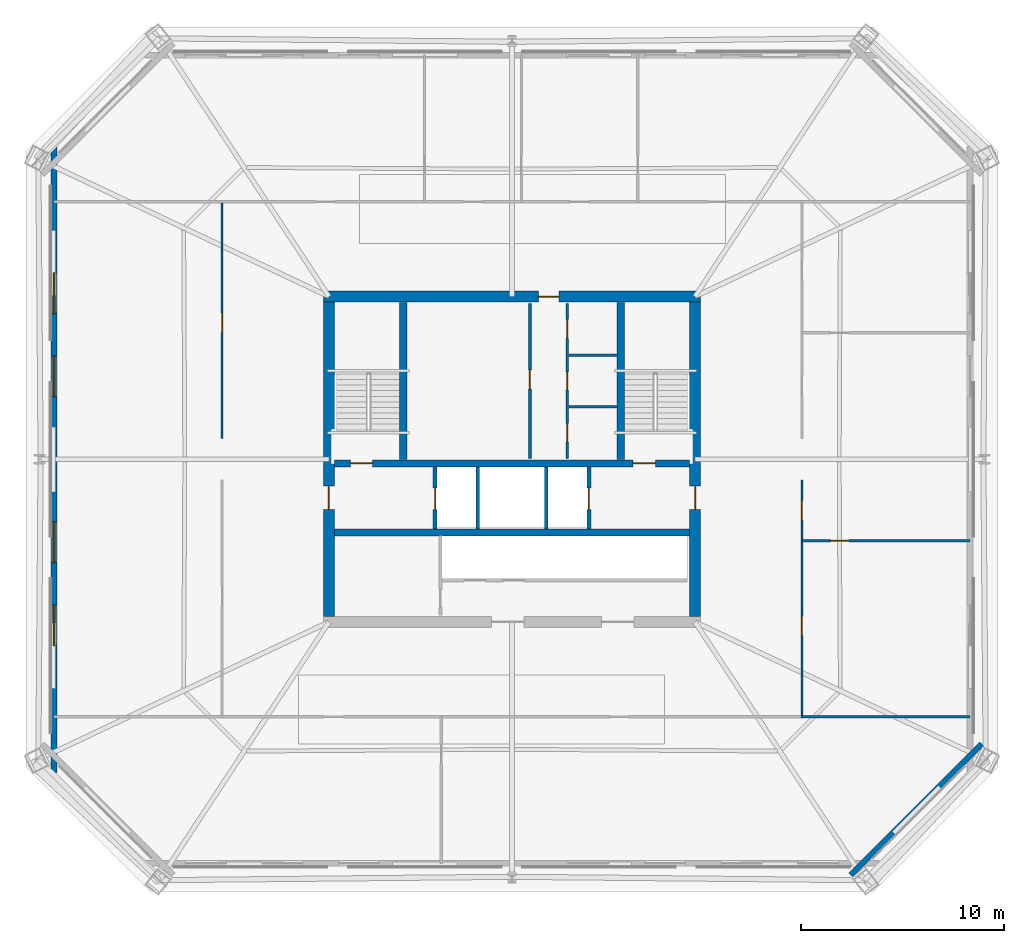
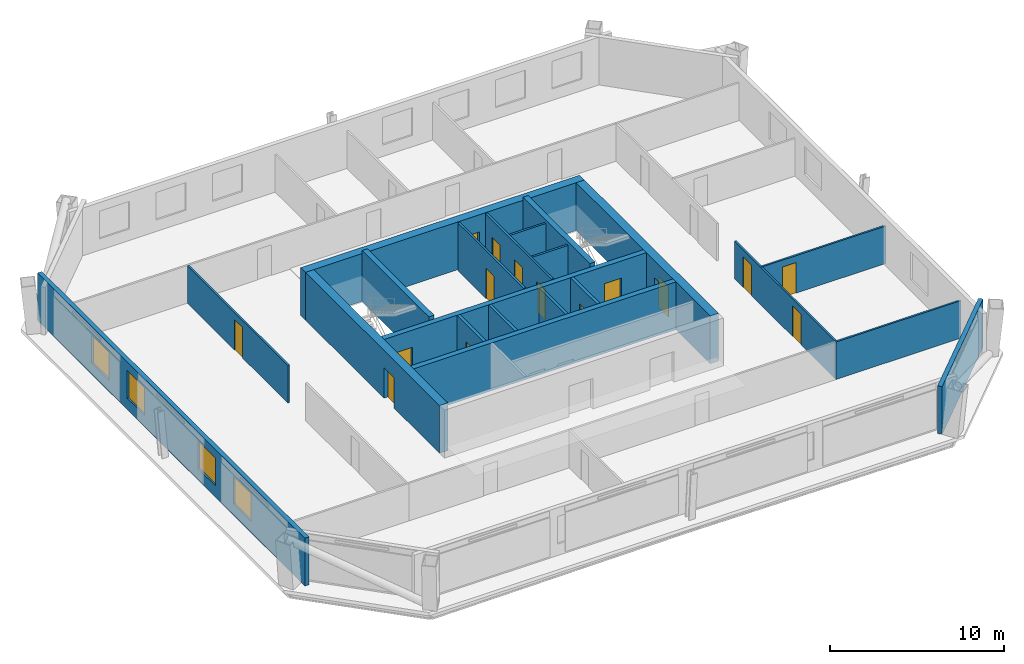
# One storey, part 3 of 7: 21 walls, 15 doors, 4 windows, 19 openings.
"""IFC4 building model written with IfcOpenShell, lengths in metres."""

from ifc_helpers import new_model, si_unit, direction, frame, frame_2d, origin, place, context, subcontext, project, spatial, rectangle, extrude, material, layer, layer_set, type_object, element, fill, save


model = new_model("IFC4")

# Units and contexts
model_context = context("Model", 3, precision=1e-05, world=origin(), true_north=direction((0.0, 1.0)))
body_context = subcontext(model_context, "Body", "Model", "MODEL_VIEW")
ifc_project = project(units=[si_unit("LENGTHUNIT", "METRE"), si_unit("AREAUNIT", "SQUARE_METRE"), si_unit("VOLUMEUNIT", "CUBIC_METRE"), si_unit("PLANEANGLEUNIT", "RADIAN"), si_unit("MASSUNIT", "GRAM", prefix="KILO")], contexts=[model_context])

# Site, building, storey
site_placement = place(None, origin())
site = spatial("IfcSite", under=ifc_project, at=site_placement, CompositionType="ELEMENT")
building_placement = place(site_placement, origin())
building = spatial("IfcBuilding", under=site, at=building_placement, Name="Caelvoria Tower", CompositionType="ELEMENT")
storey_placement = place(building_placement, frame((0.0, 0.0, 134.800048828125)))
storey = spatial("IfcBuildingStorey", under=building, at=storey_placement, Name="L35", CompositionType="ELEMENT", Elevation=134.800048828125)

# Wall, openings, doors
ifc_material_1 = material(Name="Concrete C50/60", Category="concrete")
ifc_layer_1 = layer(ifc_material_1, 0.35009765625, Name="Concrete C50/60")
ifc_layer_set_1 = layer_set([ifc_layer_1], Name="Core Internal Shear Wall 350 - Concrete C50/60")
wall_type_1 = type_object("IfcWallType", Name="Core Internal Shear Wall 350", PredefinedType="SHEAR", material=ifc_layer_set_1)
wall_1_placement = place(storey_placement, frame((37.27490234375, 31.800048828125, 0.0), z_axis=(0.0, 0.0, 1.0), x_axis=(1.0, 0.0, 0.0)))
wall_1 = element("IfcWall", 1, at=wall_1_placement, inside=storey, type_object=wall_type_1, Name="Core Shear Wall L35 M1", PredefinedType="SHEAR", context=body_context, shape_type="SweptSolid", body=[
    extrude(rectangle(XDim=17.4501953125, YDim=0.35009765625, at=frame_2d((8.72509765625, 0.0))), origin(), (0.0, 0.0, 1.0), 3.35986328125),
])
opening_1_placement = place(wall_1_placement, frame((0.77490234375, 0.0, 0.0)))
opening_1 = element("IfcOpeningElement", 2, at=opening_1_placement, cuts=wall_1, Name="Opening ID-01", PredefinedType="OPENING", context=body_context, shape_type="SweptSolid", body=[
    extrude(rectangle(XDim=1.10009765625, YDim=2.14990234375, at=frame_2d((0.550048828125, 1.074951171875))), frame((0.0, 0.18505859375, 0.0), z_axis=(0.0, -1.0, 0.0), x_axis=(1.0, 0.0, 0.0)), (0.0, 0.0, 1.0), 0.3701171875),
])
opening_2_placement = place(wall_1_placement, frame((14.675048828125, 0.0, 0.0)))
opening_2 = element("IfcOpeningElement", 3, at=opening_2_placement, cuts=wall_1, Name="Opening ID-01", PredefinedType="OPENING", context=body_context, shape_type="SweptSolid", body=[
    extrude(rectangle(XDim=1.10009765625, YDim=2.14990234375, at=frame_2d((0.550048828125, 1.074951171875))), frame((0.0, 0.18505859375, 0.0), z_axis=(0.0, -1.0, 0.0), x_axis=(1.0, 0.0, 0.0)), (0.0, 0.0, 1.0), 0.3701171875),
])
ifc_material_2 = material(Name="Painted Hollow Steel Fire Door", Category="steel")
door_type_1 = type_object("IfcDoorType", Name="Fire Door FD90S 1100x2150", OperationType="NOTDEFINED", PredefinedType="DOOR", material=ifc_material_2)
door_1_placement = place(opening_1_placement, origin())
door_1 = element("IfcDoor", 4, at=door_1_placement, inside=storey, type_object=door_type_1, Name="Core Door DR-L35-ST1", OperationType="SINGLE_SWING_LEFT", OverallHeight=2.14990234375, OverallWidth=1.10009765625, PredefinedType="DOOR", context=body_context, shape_type="SweptSolid", body=[
    extrude(rectangle(XDim=1.10009765625, YDim=2.14990234375, at=frame_2d((0.550048828125, 1.074951171875))), frame((0.0, 0.02490234375, 0.0), z_axis=(0.0, -1.0, 0.0), x_axis=(1.0, 0.0, 0.0)), (0.0, 0.0, 1.0), 0.050048828125),
])
fill(opening_1, door_1)
door_2_placement = place(opening_2_placement, origin())
door_2 = element("IfcDoor", 5, at=door_2_placement, inside=storey, type_object=door_type_1, Name="Core Door DR-L35-ST2", OperationType="SINGLE_SWING_RIGHT", OverallHeight=2.14990234375, OverallWidth=1.10009765625, PredefinedType="DOOR", context=body_context, shape_type="SweptSolid", body=[
    extrude(rectangle(XDim=1.10009765625, YDim=2.14990234375, at=frame_2d((0.550048828125, 1.074951171875))), frame((0.0, 0.02490234375, 0.0), z_axis=(0.0, -1.0, 0.0), x_axis=(1.0, 0.0, 0.0)), (0.0, 0.0, 1.0), 0.050048828125),
])
fill(opening_2, door_2)

# Walls
wall_2_placement = place(storey_placement, frame((37.27490234375, 28.39990234375, 0.0), z_axis=(0.0, 0.0, 1.0), x_axis=(1.0, 0.0, 0.0)))
element("IfcWall", 6, at=wall_2_placement, inside=storey, type_object=wall_type_1, Name="Core Shear Wall L35 M2", PredefinedType="SHEAR", context=body_context, shape_type="SweptSolid", body=[
    extrude(rectangle(XDim=17.4501953125, YDim=0.35009765625, at=frame_2d((8.72509765625, 0.0))), origin(), (0.0, 0.0, 1.0), 3.35986328125),
])
for number, where, z_axis, x_axis, name in (
    (7, (40.64990234375, 32.0, 0.0), (0.0, 0.0, 1.0), (0.0, 1.0, 0.0), "Interior Partition IW-L35-ST1E"),
    (8, (51.35009765625, 32.0, 0.0), (0.0, 0.0, 1.0), (0.0, 1.0, 0.0), "Interior Partition IW-L35-ST2W"),
):
    element("IfcWall", number, at=place(storey_placement, frame(where, z_axis=z_axis, x_axis=x_axis)), inside=storey, type_object=wall_type_1, Name=name, PredefinedType="SHEAR", context=body_context, shape_type="SweptSolid", body=[
        extrude(rectangle(XDim=7.699951171875, YDim=0.35009765625, at=frame_2d((3.85009765625, 0.0))), origin(), (0.0, 0.0, 1.0), 3.599853515625),
    ])

# Wall, opening, door
ifc_material_3 = material(Name="Moisture-Resistant Gypsum on Steel Stud", Category="steel")
ifc_layer_2 = layer(ifc_material_3, 0.139892578125, Name="Moisture-Resistant Gypsum on Steel Stud")
ifc_layer_set_2 = layer_set([ifc_layer_2], Name="Core Sanitary Acoustic Partition Wall 140 - Moisture-Resistant Gypsum on Steel Stud")
wall_type_2 = type_object("IfcWallType", Name="Core Sanitary Acoustic Partition Wall 140", PredefinedType="PARTITIONING", material=ifc_layer_set_2)
wall_3_placement = place(storey_placement, frame((46.8798828125, 32.050048828125, 0.0), z_axis=(0.0, 0.0, 1.0), x_axis=(0.0, 1.0, 0.0)))
wall_3 = element("IfcWall", 9, at=wall_3_placement, inside=storey, type_object=wall_type_2, Name="Interior Partition IW-L35-C2L", PredefinedType="PARTITIONING", context=body_context, shape_type="SweptSolid", body=[
    extrude(rectangle(XDim=7.599853515625, YDim=0.139892578125, at=frame_2d((3.7998046875, 0.0))), origin(), (0.0, 0.0, 1.0), 3.35986328125),
])
opening_3_placement = place(wall_3_placement, frame((3.39990234375, 0.0, 0.0)))
opening_3 = element("IfcOpeningElement", 10, at=opening_3_placement, cuts=wall_3, Name="Opening ID-05", PredefinedType="OPENING", context=body_context, shape_type="SweptSolid", body=[
    extrude(rectangle(XDim=0.949951171875, YDim=2.14990234375, at=frame_2d((0.47509765625, 1.074951171875))), frame((0.0, 0.079833984375, 0.0), z_axis=(0.0, -1.0, 0.0), x_axis=(1.0, 0.0, 0.0)), (0.0, 0.0, 1.0), 0.159912109375),
])
ifc_material_4 = material(Name="Engineered Andean Oak Veneer Door", Category="wood")
door_type_2 = type_object("IfcDoorType", Name="Interior Timber Door 950x2150", OperationType="NOTDEFINED", PredefinedType="DOOR", material=ifc_material_4)
door_3_placement = place(opening_3_placement, origin())
door_3 = element("IfcDoor", 11, at=door_3_placement, inside=storey, type_object=door_type_2, Name="Interior Door DR-L35-C2W", OperationType="SINGLE_SWING_LEFT", OverallHeight=2.14990234375, OverallWidth=0.949951171875, PredefinedType="DOOR", context=body_context, shape_type="SweptSolid", body=[
    extrude(rectangle(XDim=0.949951171875, YDim=2.14990234375, at=frame_2d((0.47509765625, 1.074951171875))), frame((0.0, 0.02490234375, 0.0), z_axis=(0.0, -1.0, 0.0), x_axis=(1.0, 0.0, 0.0)), (0.0, 0.0, 1.0), 0.050048828125),
])
fill(opening_3, door_3)

# Wall, openings, doors
wall_4_placement = place(storey_placement, frame((48.719970703125, 32.050048828125, 0.0), z_axis=(0.0, 0.0, 1.0), x_axis=(0.0, 1.0, 0.0)))
wall_4 = element("IfcWall", 12, at=wall_4_placement, inside=storey, type_object=wall_type_2, Name="Interior Partition IW-L35-C2R", PredefinedType="PARTITIONING", context=body_context, shape_type="SweptSolid", body=[
    extrude(rectangle(XDim=7.599853515625, YDim=0.139892578125, at=frame_2d((3.7998046875, 0.0))), origin(), (0.0, 0.0, 1.0), 3.35986328125),
])
opening_4_placement = place(wall_4_placement, frame((0.800048828125, 0.0, 0.0)))
opening_4 = element("IfcOpeningElement", 13, at=opening_4_placement, cuts=wall_4, Name="Opening ID-04", PredefinedType="OPENING", context=body_context, shape_type="SweptSolid", body=[
    extrude(rectangle(XDim=0.89990234375, YDim=2.14990234375, at=frame_2d((0.449951171875, 1.074951171875))), frame((0.0, 0.079833984375, 0.0), z_axis=(0.0, -1.0, 0.0), x_axis=(1.0, 0.0, 0.0)), (0.0, 0.0, 1.0), 0.159912109375),
])
opening_5_placement = place(wall_4_placement, frame((3.35009765625, 0.0, 0.0)))
opening_5 = element("IfcOpeningElement", 14, at=opening_5_placement, cuts=wall_4, Name="Opening ID-06", PredefinedType="OPENING", context=body_context, shape_type="SweptSolid", body=[
    extrude(rectangle(XDim=0.89990234375, YDim=2.14990234375, at=frame_2d((0.449951171875, 1.074951171875))), frame((0.0, 0.079833984375, 0.0), z_axis=(0.0, -1.0, 0.0), x_axis=(1.0, 0.0, 0.0)), (0.0, 0.0, 1.0), 0.159912109375),
])
opening_6_placement = place(wall_4_placement, frame((5.89990234375, 0.0, 0.0)))
opening_6 = element("IfcOpeningElement", 15, at=opening_6_placement, cuts=wall_4, Name="Opening ID-07", PredefinedType="OPENING", context=body_context, shape_type="SweptSolid", body=[
    extrude(rectangle(XDim=0.919921875, YDim=2.14990234375, at=frame_2d((0.4599609375, 1.074951171875))), frame((0.0, 0.079833984375, 0.0), z_axis=(0.0, -1.0, 0.0), x_axis=(1.0, 0.0, 0.0)), (0.0, 0.0, 1.0), 0.159912109375),
])
ifc_material_5 = material(Name="Engineered Andean Oak Accessible Door", Category="wood")
door_type_3 = type_object("IfcDoorType", Name="Accessible WC Door 950x2150", OperationType="NOTDEFINED", PredefinedType="DOOR", material=ifc_material_5)
door_4_placement = place(opening_6_placement, origin())
door_4 = element("IfcDoor", 16, at=door_4_placement, inside=storey, type_object=door_type_3, Name="Interior Door DR-L35-C2E3", OperationType="SINGLE_SWING_RIGHT", OverallHeight=2.14990234375, OverallWidth=0.919921875, PredefinedType="DOOR", context=body_context, shape_type="SweptSolid", body=[
    extrude(rectangle(XDim=0.919921875, YDim=2.14990234375, at=frame_2d((0.4599609375, 1.074951171875))), frame((0.0, 0.02490234375, 0.0), z_axis=(0.0, -1.0, 0.0), x_axis=(1.0, 0.0, 0.0)), (0.0, 0.0, 1.0), 0.050048828125),
])
fill(opening_6, door_4)
ifc_material_6 = material(Name="Acoustic Timber Fire Door", Category="wood")
door_type_4 = type_object("IfcDoorType", Name="Fire Door FD30S 900x2150", OperationType="NOTDEFINED", PredefinedType="DOOR", material=ifc_material_6)
door_5_placement = place(opening_4_placement, origin())
door_5 = element("IfcDoor", 17, at=door_5_placement, inside=storey, type_object=door_type_4, Name="Interior Door DR-L35-C2E1", OperationType="SINGLE_SWING_RIGHT", OverallHeight=2.14990234375, OverallWidth=0.89990234375, PredefinedType="DOOR", context=body_context, shape_type="SweptSolid", body=[
    extrude(rectangle(XDim=0.89990234375, YDim=2.14990234375, at=frame_2d((0.449951171875, 1.074951171875))), frame((0.0, 0.02490234375, 0.0), z_axis=(0.0, -1.0, 0.0), x_axis=(1.0, 0.0, 0.0)), (0.0, 0.0, 1.0), 0.050048828125),
])
fill(opening_4, door_5)
door_type_5 = type_object("IfcDoorType", Name="Interior Timber Door 900x2150", OperationType="NOTDEFINED", PredefinedType="DOOR", material=ifc_material_4)
door_6_placement = place(opening_5_placement, origin())
door_6 = element("IfcDoor", 18, at=door_6_placement, inside=storey, type_object=door_type_5, Name="Interior Door DR-L35-C2E2", OperationType="SINGLE_SWING_LEFT", OverallHeight=2.14990234375, OverallWidth=0.89990234375, PredefinedType="DOOR", context=body_context, shape_type="SweptSolid", body=[
    extrude(rectangle(XDim=0.89990234375, YDim=2.14990234375, at=frame_2d((0.449951171875, 1.074951171875))), frame((0.0, 0.02490234375, 0.0), z_axis=(0.0, -1.0, 0.0), x_axis=(1.0, 0.0, 0.0)), (0.0, 0.0, 1.0), 0.050048828125),
])
fill(opening_5, door_6)

# Walls
for number, where, z_axis, x_axis, name in (
    (19, (48.800048828125, 34.580078125, 0.0), (0.0, 0.0, 1.0), (1.0, 0.0, 0.0), "Interior Partition IW-L35-C2H1"),
    (20, (48.800048828125, 37.1201171875, 0.0), (0.0, 0.0, 1.0), (1.0, 0.0, 0.0), "Interior Partition IW-L35-C2H2"),
):
    element("IfcWall", number, at=place(storey_placement, frame(where, z_axis=z_axis, x_axis=x_axis)), inside=storey, type_object=wall_type_2, Name=name, PredefinedType="PARTITIONING", context=body_context, shape_type="SweptSolid", body=[
        extrude(rectangle(XDim=2.39990234375, YDim=0.139892578125, at=frame_2d((1.199951171875, 0.0))), origin(), (0.0, 0.0, 1.0), 3.35986328125),
    ])
ifc_material_7 = material(Name="Precast Concrete C40/50 with Bronze Cladding", Category="concrete")
ifc_layer_3 = layer(ifc_material_7, 0.280029296875, Name="Precast Concrete C40/50 with Bronze Cladding")
ifc_layer_set_3 = layer_set([ifc_layer_3], Name="Exterior Precast Concrete C40/50 Bronze-Clad Facade Wall 280 - Precast Concrete C40/50 with Bronze Cladding")
wall_type_3 = type_object("IfcWallType", Name="Exterior Precast Concrete C40/50 Bronze-Clad Facade Wall 280", PredefinedType="STANDARD", material=ifc_layer_set_3)
wall_5_placement = place(storey_placement, frame((62.654541015625, 11.55615234375, 0.0), z_axis=(0.0, 0.0, 1.0), x_axis=(0.707106781187, 0.707106781187, 0.0)))
element("IfcWall", 21, at=wall_5_placement, inside=storey, type_object=wall_type_3, Name="Exterior Facade Wall L35-E1", PredefinedType="STANDARD", context=body_context, shape_type="SweptSolid", body=[
    extrude(rectangle(XDim=9.106689453125, YDim=0.280029296875, at=frame_2d((4.55322265625, 0.0))), origin(), (0.0, 0.0, 1.0), 3.35986328125),
])

# Wall, openings, windows
wall_6_placement = place(storey_placement, frame((23.47998046875, 47.389892578125, 0.0), z_axis=(0.0, 0.0, 1.0), x_axis=(0.0, -1.0, 0.0)))
wall_6 = element("IfcWall", 22, at=wall_6_placement, inside=storey, type_object=wall_type_3, Name="Exterior Facade Wall L35-E6", PredefinedType="STANDARD", context=body_context, shape_type="SweptSolid", body=[
    extrude(rectangle(XDim=30.77978515625, YDim=0.280029296875, at=frame_2d((15.389892578125, 0.0))), origin(), (0.0, 0.0, 1.0), 3.35986328125),
])
opening_7_placement = place(wall_6_placement, frame((6.224365234375, 0.0, 0.800048828125)))
opening_7 = element("IfcOpeningElement", 23, at=opening_7_placement, cuts=wall_6, Name="Opening WN-01", PredefinedType="OPENING", context=body_context, shape_type="SweptSolid", body=[
    extrude(rectangle(XDim=2.0, YDim=1.949951171875, at=frame_2d((1.0, 0.97509765625))), frame((0.0, 0.14990234375, 0.0), z_axis=(0.0, -1.0, 0.0), x_axis=(1.0, 0.0, 0.0)), (0.0, 0.0, 1.0), 0.300048828125),
])
opening_8_placement = place(wall_6_placement, frame((10.30712890625, 0.0, 0.800048828125)))
opening_8 = element("IfcOpeningElement", 24, at=opening_8_placement, cuts=wall_6, Name="Opening WN-01", PredefinedType="OPENING", context=body_context, shape_type="SweptSolid", body=[
    extrude(rectangle(XDim=2.0, YDim=1.949951171875, at=frame_2d((1.0, 0.97509765625))), frame((0.0, 0.14990234375, 0.0), z_axis=(0.0, -1.0, 0.0), x_axis=(1.0, 0.0, 0.0)), (0.0, 0.0, 1.0), 0.300048828125),
])
opening_9_placement = place(wall_6_placement, frame((18.472900390625, 0.0, 0.800048828125)))
opening_9 = element("IfcOpeningElement", 25, at=opening_9_placement, cuts=wall_6, Name="Opening WN-01", PredefinedType="OPENING", context=body_context, shape_type="SweptSolid", body=[
    extrude(rectangle(XDim=2.0, YDim=1.949951171875, at=frame_2d((1.0, 0.97509765625))), frame((0.0, 0.14990234375, 0.0), z_axis=(0.0, -1.0, 0.0), x_axis=(1.0, 0.0, 0.0)), (0.0, 0.0, 1.0), 0.300048828125),
])
opening_10_placement = place(wall_6_placement, frame((22.5556640625, 0.0, 0.800048828125)))
opening_10 = element("IfcOpeningElement", 26, at=opening_10_placement, cuts=wall_6, Name="Opening WN-01", PredefinedType="OPENING", context=body_context, shape_type="SweptSolid", body=[
    extrude(rectangle(XDim=2.0, YDim=1.949951171875, at=frame_2d((1.0, 0.97509765625))), frame((0.0, 0.14990234375, 0.0), z_axis=(0.0, -1.0, 0.0), x_axis=(1.0, 0.0, 0.0)), (0.0, 0.0, 1.0), 0.300048828125),
])
ifc_material_8 = material(Name="Low-E Tinted Glass in Bronze Aluminium Frame", Category="aluminium")
window_type = type_object("IfcWindowType", Name="Tower Office Vision Window 2000x1950", PartitioningType="SINGLE_PANEL", PredefinedType="WINDOW", material=ifc_material_8)
window_1_placement = place(opening_7_placement, origin())
window_1 = element("IfcWindow", 27, at=window_1_placement, inside=storey, type_object=window_type, Name="Facade Window L35-E6-01", OverallHeight=1.949951171875, OverallWidth=2.0, PartitioningType="SINGLE_PANEL", PredefinedType="WINDOW", context=body_context, shape_type="SweptSolid", body=[
    extrude(rectangle(XDim=2.0, YDim=1.949951171875, at=frame_2d((1.0, 0.97509765625))), frame((0.0, 0.030029296875, 0.0), z_axis=(0.0, -1.0, 0.0), x_axis=(1.0, 0.0, 0.0)), (0.0, 0.0, 1.0), 0.06005859375),
])
fill(opening_7, window_1)
window_2_placement = place(opening_8_placement, origin())
window_2 = element("IfcWindow", 28, at=window_2_placement, inside=storey, type_object=window_type, Name="Facade Window L35-E6-02", OverallHeight=1.949951171875, OverallWidth=2.0, PartitioningType="SINGLE_PANEL", PredefinedType="WINDOW", context=body_context, shape_type="SweptSolid", body=[
    extrude(rectangle(XDim=2.0, YDim=1.949951171875, at=frame_2d((1.0, 0.97509765625))), frame((0.0, 0.030029296875, 0.0), z_axis=(0.0, -1.0, 0.0), x_axis=(1.0, 0.0, 0.0)), (0.0, 0.0, 1.0), 0.06005859375),
])
fill(opening_8, window_2)
window_3_placement = place(opening_9_placement, origin())
window_3 = element("IfcWindow", 29, at=window_3_placement, inside=storey, type_object=window_type, Name="Facade Window L35-E6-04", OverallHeight=1.949951171875, OverallWidth=2.0, PartitioningType="SINGLE_PANEL", PredefinedType="WINDOW", context=body_context, shape_type="SweptSolid", body=[
    extrude(rectangle(XDim=2.0, YDim=1.949951171875, at=frame_2d((1.0, 0.97509765625))), frame((0.0, 0.030029296875, 0.0), z_axis=(0.0, -1.0, 0.0), x_axis=(1.0, 0.0, 0.0)), (0.0, 0.0, 1.0), 0.06005859375),
])
fill(opening_9, window_3)
window_4_placement = place(opening_10_placement, origin())
window_4 = element("IfcWindow", 30, at=window_4_placement, inside=storey, type_object=window_type, Name="Facade Window L35-E6-05", OverallHeight=1.949951171875, OverallWidth=2.0, PartitioningType="SINGLE_PANEL", PredefinedType="WINDOW", context=body_context, shape_type="SweptSolid", body=[
    extrude(rectangle(XDim=2.0, YDim=1.949951171875, at=frame_2d((1.0, 0.97509765625))), frame((0.0, 0.030029296875, 0.0), z_axis=(0.0, -1.0, 0.0), x_axis=(1.0, 0.0, 0.0)), (0.0, 0.0, 1.0), 0.06005859375),
])
fill(opening_10, window_4)

# Walls
ifc_material_9 = material(Name="Concrete Block and Fireboard Assembly", Category="concrete")
ifc_layer_4 = layer(ifc_material_9, 0.179931640625, Name="Concrete Block and Fireboard Assembly")
ifc_layer_set_4 = layer_set([ifc_layer_4], Name="Fire-Rated Hoistway Partition Wall 180 - Concrete Block and Fireboard Assembly")
wall_type_4 = type_object("IfcWallType", Name="Fire-Rated Hoistway Partition Wall 180", PredefinedType="PARTITIONING", material=ifc_layer_set_4)
for number, where, z_axis, x_axis, name in (
    (31, (44.320068359375, 28.580078125, 0.0), (0.0, 0.0, 1.0), (0.0, 1.0, 0.0), "Interior Partition IW-L35-SV1W"),
    (32, (47.679931640625, 28.580078125, 0.0), (0.0, 0.0, 1.0), (0.0, 1.0, 0.0), "Interior Partition IW-L35-SV1E"),
):
    element("IfcWall", number, at=place(storey_placement, frame(where, z_axis=z_axis, x_axis=x_axis)), inside=storey, type_object=wall_type_4, Name=name, PredefinedType="PARTITIONING", context=body_context, shape_type="SweptSolid", body=[
        extrude(rectangle(XDim=3.0400390625, YDim=0.179931640625, at=frame_2d((1.52001953125, 0.0))), origin(), (0.0, 0.0, 1.0), 3.35986328125),
    ])

# Wall, opening, door
ifc_layer_5 = layer(ifc_material_9, 0.199951171875, Name="Concrete Block and Fireboard Assembly")
ifc_layer_set_5 = layer_set([ifc_layer_5], Name="Fire-Rated Shaft and Core Partition Wall 200 - Concrete Block and Fireboard Assembly")
wall_type_5 = type_object("IfcWallType", Name="Fire-Rated Shaft and Core Partition Wall 200", PredefinedType="PARTITIONING", material=ifc_layer_set_5)
wall_7_placement = place(storey_placement, frame((42.219970703125, 28.580078125, 0.0), z_axis=(0.0, 0.0, 1.0), x_axis=(0.0, 1.0, 0.0)))
wall_7 = element("IfcWall", 33, at=wall_7_placement, inside=storey, type_object=wall_type_5, Name="Interior Partition IW-L35-LF1W", PredefinedType="PARTITIONING", context=body_context, shape_type="SweptSolid", body=[
    extrude(rectangle(XDim=3.0400390625, YDim=0.199951171875, at=frame_2d((1.52001953125, 0.0))), origin(), (0.0, 0.0, 1.0), 3.35986328125),
])
opening_11_placement = place(wall_7_placement, frame((0.949951171875, 0.0, 0.0)))
opening_11 = element("IfcOpeningElement", 34, at=opening_11_placement, cuts=wall_7, Name="Opening LD-01", PredefinedType="OPENING", context=body_context, shape_type="SweptSolid", body=[
    extrude(rectangle(XDim=1.050048828125, YDim=2.14990234375, at=frame_2d((0.52490234375, 1.074951171875))), frame((0.0, 0.10986328125, 0.0), z_axis=(0.0, -1.0, 0.0), x_axis=(1.0, 0.0, 0.0)), (0.0, 0.0, 1.0), 0.219970703125),
])
ifc_material_10 = material(Name="Brushed Bronze Stainless Sliding Landing Door", Category="aluminium")
door_type_6 = type_object("IfcDoorType", Name="Lift Landing Sliding Door 1100x2150", OperationType="NOTDEFINED", PredefinedType="DOOR", material=ifc_material_10)
door_7_placement = place(opening_11_placement, origin())
door_7 = element("IfcDoor", 35, at=door_7_placement, inside=storey, type_object=door_type_6, Name="Interior Door LD-L35-LF1", OperationType="SLIDING_TO_LEFT", OverallHeight=2.14990234375, OverallWidth=1.050048828125, PredefinedType="DOOR", context=body_context, shape_type="SweptSolid", body=[
    extrude(rectangle(XDim=1.050048828125, YDim=2.14990234375, at=frame_2d((0.52490234375, 1.074951171875))), frame((0.0, 0.02490234375, 0.0), z_axis=(0.0, -1.0, 0.0), x_axis=(1.0, 0.0, 0.0)), (0.0, 0.0, 1.0), 0.050048828125),
])
fill(opening_11, door_7)

wall_8_placement = place(storey_placement, frame((49.780029296875, 28.580078125, 0.0), z_axis=(0.0, 0.0, 1.0), x_axis=(0.0, 1.0, 0.0)))
wall_8 = element("IfcWall", 36, at=wall_8_placement, inside=storey, type_object=wall_type_5, Name="Interior Partition IW-L35-LF2E", PredefinedType="PARTITIONING", context=body_context, shape_type="SweptSolid", body=[
    extrude(rectangle(XDim=3.0400390625, YDim=0.199951171875, at=frame_2d((1.52001953125, 0.0))), origin(), (0.0, 0.0, 1.0), 3.35986328125),
])
opening_12_placement = place(wall_8_placement, frame((0.949951171875, 0.0, 0.0)))
opening_12 = element("IfcOpeningElement", 37, at=opening_12_placement, cuts=wall_8, Name="Opening LD-01", PredefinedType="OPENING", context=body_context, shape_type="SweptSolid", body=[
    extrude(rectangle(XDim=1.050048828125, YDim=2.14990234375, at=frame_2d((0.52490234375, 1.074951171875))), frame((0.0, 0.10986328125, 0.0), z_axis=(0.0, -1.0, 0.0), x_axis=(1.0, 0.0, 0.0)), (0.0, 0.0, 1.0), 0.219970703125),
])
door_8_placement = place(opening_12_placement, origin())
door_8 = element("IfcDoor", 38, at=door_8_placement, inside=storey, type_object=door_type_6, Name="Interior Door LD-L35-LF2", OperationType="SLIDING_TO_RIGHT", OverallHeight=2.14990234375, OverallWidth=1.050048828125, PredefinedType="DOOR", context=body_context, shape_type="SweptSolid", body=[
    extrude(rectangle(XDim=1.050048828125, YDim=2.14990234375, at=frame_2d((0.52490234375, 1.074951171875))), frame((0.0, 0.02490234375, 0.0), z_axis=(0.0, -1.0, 0.0), x_axis=(1.0, 0.0, 0.0)), (0.0, 0.0, 1.0), 0.050048828125),
])
fill(opening_12, door_8)

ifc_material_11 = material(Name="Concrete C55/67", Category="concrete")
ifc_layer_6 = layer(ifc_material_11, 0.550048828125, Name="Concrete C55/67")
ifc_layer_set_6 = layer_set([ifc_layer_6], Name="Mid Core Shear Wall 550 - Concrete C55/67")
wall_type_6 = type_object("IfcWallType", Name="Mid Core Shear Wall 550", PredefinedType="SHEAR", material=ifc_layer_set_6)
wall_9_placement = place(storey_placement, frame((36.72509765625, 40.0, 0.0), z_axis=(0.0, 0.0, 1.0), x_axis=(1.0, 0.0, 0.0)))
wall_9 = element("IfcWall", 39, at=wall_9_placement, inside=storey, type_object=wall_type_6, Name="Core Shear Wall L35 N", PredefinedType="SHEAR", context=body_context, shape_type="SweptSolid", body=[
    extrude(rectangle(XDim=18.5498046875, YDim=0.550048828125, at=frame_2d((9.27490234375, 0.0))), origin(), (0.0, 0.0, 1.0), 3.35986328125),
])
opening_13_placement = place(wall_9_placement, frame((10.574951171875, 0.0, 0.0)))
opening_13 = element("IfcOpeningElement", 40, at=opening_13_placement, cuts=wall_9, Name="Opening ID-03", PredefinedType="OPENING", context=body_context, shape_type="SweptSolid", body=[
    extrude(rectangle(XDim=1.0, YDim=2.14990234375, at=frame_2d((0.5, 1.074951171875))), frame((0.0, 0.284912109375, 0.0), z_axis=(0.0, -1.0, 0.0), x_axis=(1.0, 0.0, 0.0)), (0.0, 0.0, 1.0), 0.570068359375),
])
door_type_7 = type_object("IfcDoorType", Name="Fire Door FD60S 1000x2150", OperationType="NOTDEFINED", PredefinedType="DOOR", material=ifc_material_2)
door_9_placement = place(opening_13_placement, origin())
door_9 = element("IfcDoor", 41, at=door_9_placement, inside=storey, type_object=door_type_7, Name="Core Door DR-L35-WC-MAIN", OperationType="SINGLE_SWING_RIGHT", OverallHeight=2.14990234375, OverallWidth=1.0, PredefinedType="DOOR", context=body_context, shape_type="SweptSolid", body=[
    extrude(rectangle(XDim=1.0, YDim=2.14990234375, at=frame_2d((0.5, 1.074951171875))), frame((0.0, 0.02490234375, 0.0), z_axis=(0.0, -1.0, 0.0), x_axis=(1.0, 0.0, 0.0)), (0.0, 0.0, 1.0), 0.050048828125),
])
fill(opening_13, door_9)

wall_10_placement = place(storey_placement, frame((37.0, 24.27490234375, 0.0), z_axis=(0.0, 0.0, 1.0), x_axis=(0.0, 1.0, 0.0)))
wall_10 = element("IfcWall", 42, at=wall_10_placement, inside=storey, type_object=wall_type_6, Name="Core Shear Wall L35 W", PredefinedType="SHEAR", context=body_context, shape_type="SweptSolid", body=[
    extrude(rectangle(XDim=15.4501953125, YDim=0.550048828125, at=frame_2d((7.72509765625, 0.0))), origin(), (0.0, 0.0, 1.0), 3.35986328125),
])
opening_14_placement = place(wall_10_placement, frame((5.25, 0.0, 0.0)))
opening_14 = element("IfcOpeningElement", 43, at=opening_14_placement, cuts=wall_10, Name="Opening ID-02", PredefinedType="OPENING", context=body_context, shape_type="SweptSolid", body=[
    extrude(rectangle(XDim=1.14990234375, YDim=2.14990234375, at=frame_2d((0.574951171875, 1.074951171875))), frame((0.0, 0.284912109375, 0.0), z_axis=(0.0, -1.0, 0.0), x_axis=(1.0, 0.0, 0.0)), (0.0, 0.0, 1.0), 0.570068359375),
])
door_type_8 = type_object("IfcDoorType", Name="Fire Door FD60S 1150x2150", OperationType="NOTDEFINED", PredefinedType="DOOR", material=ifc_material_2)
door_10_placement = place(opening_14_placement, origin())
door_10 = element("IfcDoor", 44, at=door_10_placement, inside=storey, type_object=door_type_8, Name="Core Door DR-L35-FFLW-OUT", OperationType="SINGLE_SWING_LEFT", OverallHeight=2.14990234375, OverallWidth=1.14990234375, PredefinedType="DOOR", context=body_context, shape_type="SweptSolid", body=[
    extrude(rectangle(XDim=1.14990234375, YDim=2.14990234375, at=frame_2d((0.574951171875, 1.074951171875))), frame((0.0, 0.02490234375, 0.0), z_axis=(0.0, -1.0, 0.0), x_axis=(1.0, 0.0, 0.0)), (0.0, 0.0, 1.0), 0.050048828125),
])
fill(opening_14, door_10)

wall_11_placement = place(storey_placement, frame((55.0, 24.27490234375, 0.0), z_axis=(0.0, 0.0, 1.0), x_axis=(0.0, 1.0, 0.0)))
wall_11 = element("IfcWall", 45, at=wall_11_placement, inside=storey, type_object=wall_type_6, Name="Core Shear Wall L35 E", PredefinedType="SHEAR", context=body_context, shape_type="SweptSolid", body=[
    extrude(rectangle(XDim=15.4501953125, YDim=0.550048828125, at=frame_2d((7.72509765625, 0.0))), origin(), (0.0, 0.0, 1.0), 3.35986328125),
])
opening_15_placement = place(wall_11_placement, frame((5.25, 0.0, 0.0)))
opening_15 = element("IfcOpeningElement", 46, at=opening_15_placement, cuts=wall_11, Name="Opening ID-02", PredefinedType="OPENING", context=body_context, shape_type="SweptSolid", body=[
    extrude(rectangle(XDim=1.14990234375, YDim=2.14990234375, at=frame_2d((0.574951171875, 1.074951171875))), frame((0.0, 0.284912109375, 0.0), z_axis=(0.0, -1.0, 0.0), x_axis=(1.0, 0.0, 0.0)), (0.0, 0.0, 1.0), 0.570068359375),
])
door_11_placement = place(opening_15_placement, origin())
door_11 = element("IfcDoor", 47, at=door_11_placement, inside=storey, type_object=door_type_8, Name="Core Door DR-L35-FFLE-OUT", OperationType="SINGLE_SWING_RIGHT", OverallHeight=2.14990234375, OverallWidth=1.14990234375, PredefinedType="DOOR", context=body_context, shape_type="SweptSolid", body=[
    extrude(rectangle(XDim=1.14990234375, YDim=2.14990234375, at=frame_2d((0.574951171875, 1.074951171875))), frame((0.0, 0.02490234375, 0.0), z_axis=(0.0, -1.0, 0.0), x_axis=(1.0, 0.0, 0.0)), (0.0, 0.0, 1.0), 0.050048828125),
])
fill(opening_15, door_11)

ifc_material_12 = material(Name="Acoustic Gypsum Board on Light-Gauge Stud", Category="gypsum")
ifc_layer_7 = layer(ifc_material_12, 0.1201171875, Name="Acoustic Gypsum Board on Light-Gauge Stud")
ifc_layer_set_7 = layer_set([ifc_layer_7], Name="Tenant Suite Acoustic Partition Wall 120 - Acoustic Gypsum Board on Light-Gauge Stud")
wall_type_7 = type_object("IfcWallType", Name="Tenant Suite Acoustic Partition Wall 120", PredefinedType="PARTITIONING", material=ifc_layer_set_7)
wall_12_placement = place(storey_placement, frame((31.739990234375, 33.02001953125, 0.0), z_axis=(0.0, 0.0, 1.0), x_axis=(0.0, 1.0, 0.0)))
wall_12 = element("IfcWall", 48, at=wall_12_placement, inside=storey, type_object=wall_type_7, Name="Interior Partition IW-L35-WCW-1", PredefinedType="PARTITIONING", context=body_context, shape_type="SweptSolid", body=[
    extrude(rectangle(XDim=11.580078125, YDim=0.1201171875, at=frame_2d((5.7900390625, 0.0))), origin(), (0.0, 0.0, 1.0), 2.639892578125),
])
opening_16_placement = place(wall_12_placement, frame((5.215087890625, 0.0, 0.0)))
opening_16 = element("IfcOpeningElement", 49, at=opening_16_placement, cuts=wall_12, Name="Opening ID-05", PredefinedType="OPENING", context=body_context, shape_type="SweptSolid", body=[
    extrude(rectangle(XDim=0.949951171875, YDim=2.14990234375, at=frame_2d((0.47509765625, 1.074951171875))), frame((0.0, 0.070068359375, 0.0), z_axis=(0.0, -1.0, 0.0), x_axis=(1.0, 0.0, 0.0)), (0.0, 0.0, 1.0), 0.14013671875),
])
door_12_placement = place(opening_16_placement, origin())
door_12 = element("IfcDoor", 50, at=door_12_placement, inside=storey, type_object=door_type_2, Name="Interior Door DR-L35-WC-00-0", OperationType="SINGLE_SWING_RIGHT", OverallHeight=2.14990234375, OverallWidth=0.949951171875, PredefinedType="DOOR", context=body_context, shape_type="SweptSolid", body=[
    extrude(rectangle(XDim=0.949951171875, YDim=2.14990234375, at=frame_2d((0.47509765625, 1.074951171875))), frame((0.0, 0.02490234375, 0.0), z_axis=(0.0, -1.0, 0.0), x_axis=(1.0, 0.0, 0.0)), (0.0, 0.0, 1.0), 0.050048828125),
])
fill(opening_16, door_12)

wall_13_placement = place(storey_placement, frame((60.260009765625, 28.0, 0.0), z_axis=(0.0, 0.0, 1.0), x_axis=(1.0, 0.0, 0.0)))
wall_13 = element("IfcWall", 51, at=wall_13_placement, inside=storey, type_object=wall_type_7, Name="Interior Partition IW-L35-ED-00-0", PredefinedType="PARTITIONING", context=body_context, shape_type="SweptSolid", body=[
    extrude(rectangle(XDim=8.260009765625, YDim=0.1201171875, at=frame_2d((4.1298828125, 0.0))), origin(), (0.0, 0.0, 1.0), 2.639892578125),
])
opening_17_placement = place(wall_13_placement, frame((1.39990234375, 0.0, 0.0)))
opening_17 = element("IfcOpeningElement", 52, at=opening_17_placement, cuts=wall_13, Name="Opening ID-06", PredefinedType="OPENING", context=body_context, shape_type="SweptSolid", body=[
    extrude(rectangle(XDim=0.89990234375, YDim=2.14990234375, at=frame_2d((0.449951171875, 1.074951171875))), frame((0.0, 0.070068359375, 0.0), z_axis=(0.0, -1.0, 0.0), x_axis=(1.0, 0.0, 0.0)), (0.0, 0.0, 1.0), 0.14013671875),
])
door_13_placement = place(opening_17_placement, origin())
door_13 = element("IfcDoor", 53, at=door_13_placement, inside=storey, type_object=door_type_5, Name="Interior Door DR-L35-EM-00-0", OperationType="SINGLE_SWING_RIGHT", OverallHeight=2.14990234375, OverallWidth=0.89990234375, PredefinedType="DOOR", context=body_context, shape_type="SweptSolid", body=[
    extrude(rectangle(XDim=0.89990234375, YDim=2.14990234375, at=frame_2d((0.449951171875, 1.074951171875))), frame((0.0, 0.02490234375, 0.0), z_axis=(0.0, -1.0, 0.0), x_axis=(1.0, 0.0, 0.0)), (0.0, 0.0, 1.0), 0.050048828125),
])
fill(opening_17, door_13)

# Wall, openings, doors
wall_14_placement = place(storey_placement, frame((60.260009765625, 19.39990234375, 0.0), z_axis=(0.0, 0.0, 1.0), x_axis=(0.0, 1.0, 0.0)))
wall_14 = element("IfcWall", 54, at=wall_14_placement, inside=storey, type_object=wall_type_7, Name="Interior Partition IW-L35-ECW-0", PredefinedType="PARTITIONING", context=body_context, shape_type="SweptSolid", body=[
    extrude(rectangle(XDim=11.580078125, YDim=0.1201171875, at=frame_2d((5.7900390625, 0.0))), origin(), (0.0, 0.0, 1.0), 2.639892578125),
])
opening_18_placement = place(wall_14_placement, frame((3.925048828125, 0.0, 0.0)))
opening_18 = element("IfcOpeningElement", 55, at=opening_18_placement, cuts=wall_14, Name="Opening ID-05", PredefinedType="OPENING", context=body_context, shape_type="SweptSolid", body=[
    extrude(rectangle(XDim=0.949951171875, YDim=2.14990234375, at=frame_2d((0.47509765625, 1.074951171875))), frame((0.0, 0.070068359375, 0.0), z_axis=(0.0, -1.0, 0.0), x_axis=(1.0, 0.0, 0.0)), (0.0, 0.0, 1.0), 0.14013671875),
])
opening_19_placement = place(wall_14_placement, frame((9.614990234375, 0.0, 0.0)))
opening_19 = element("IfcOpeningElement", 56, at=opening_19_placement, cuts=wall_14, Name="Opening ID-05", PredefinedType="OPENING", context=body_context, shape_type="SweptSolid", body=[
    extrude(rectangle(XDim=0.949951171875, YDim=2.14990234375, at=frame_2d((0.47509765625, 1.074951171875))), frame((0.0, 0.070068359375, 0.0), z_axis=(0.0, -1.0, 0.0), x_axis=(1.0, 0.0, 0.0)), (0.0, 0.0, 1.0), 0.14013671875),
])
door_14_placement = place(opening_18_placement, origin())
door_14 = element("IfcDoor", 57, at=door_14_placement, inside=storey, type_object=door_type_2, Name="Interior Door DR-L35-EC-00-0", OperationType="SINGLE_SWING_RIGHT", OverallHeight=2.14990234375, OverallWidth=0.949951171875, PredefinedType="DOOR", context=body_context, shape_type="SweptSolid", body=[
    extrude(rectangle(XDim=0.949951171875, YDim=2.14990234375, at=frame_2d((0.47509765625, 1.074951171875))), frame((0.0, 0.02490234375, 0.0), z_axis=(0.0, -1.0, 0.0), x_axis=(1.0, 0.0, 0.0)), (0.0, 0.0, 1.0), 0.050048828125),
])
fill(opening_18, door_14)
door_15_placement = place(opening_19_placement, origin())
door_15 = element("IfcDoor", 58, at=door_15_placement, inside=storey, type_object=door_type_2, Name="Interior Door DR-L35-EC-01-1", OperationType="SINGLE_SWING_RIGHT", OverallHeight=2.14990234375, OverallWidth=0.949951171875, PredefinedType="DOOR", context=body_context, shape_type="SweptSolid", body=[
    extrude(rectangle(XDim=0.949951171875, YDim=2.14990234375, at=frame_2d((0.47509765625, 1.074951171875))), frame((0.0, 0.02490234375, 0.0), z_axis=(0.0, -1.0, 0.0), x_axis=(1.0, 0.0, 0.0)), (0.0, 0.0, 1.0), 0.050048828125),
])
fill(opening_19, door_15)

# Wall
wall_15_placement = place(storey_placement, frame((60.199951171875, 19.340087890625, 0.0), z_axis=(0.0, 0.0, 1.0), x_axis=(1.0, 0.0, 0.0)))
element("IfcWall", 59, at=wall_15_placement, inside=storey, type_object=wall_type_7, Name="Interior Partition IW-L35-BSE-0", PredefinedType="PARTITIONING", context=body_context, shape_type="SweptSolid", body=[
    extrude(rectangle(XDim=8.320068359375, YDim=0.1201171875, at=frame_2d((4.16015625, 0.0))), origin(), (0.0, 0.0, 1.0), 2.639892578125),
])

save(model, "model.ifc")
